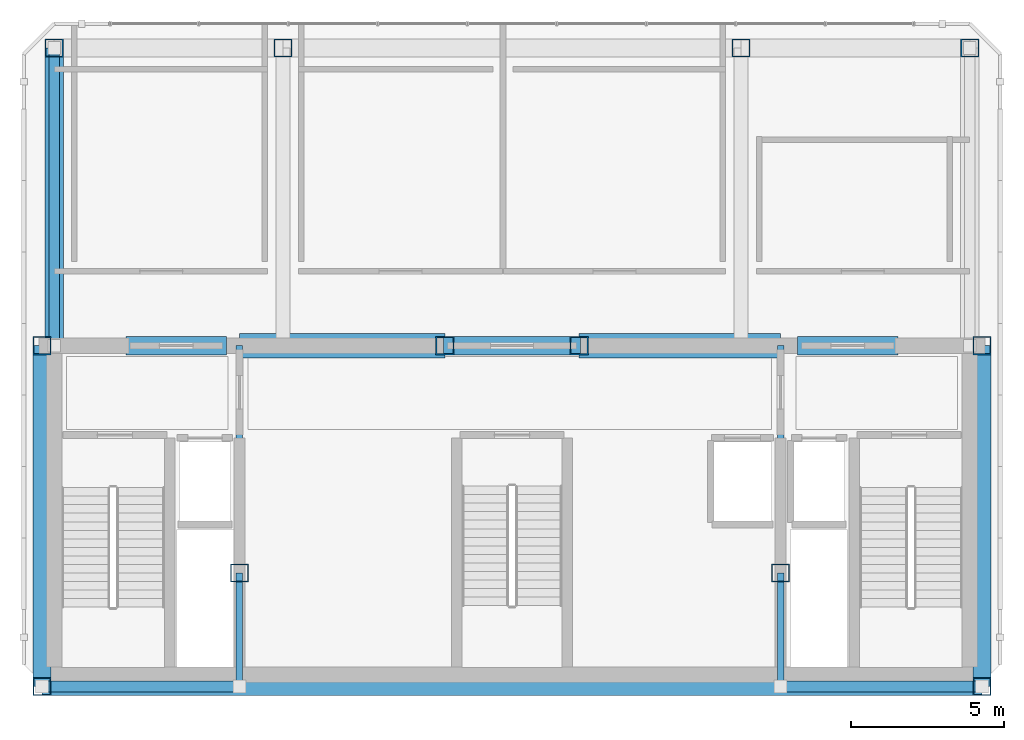
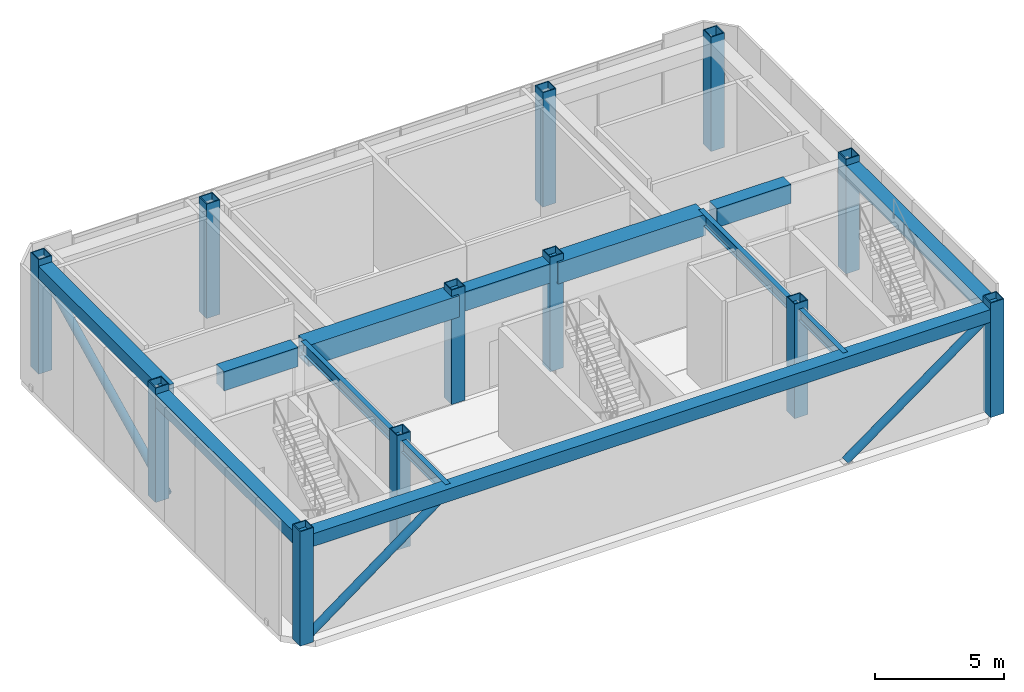
# One storey, part 1 of 9: 13 beams, 12 columns, 3 members.
"""IFC4 building model written with IfcOpenShell, lengths in metres."""

from ifc_helpers import new_model, si_unit, direction, frame, origin, origin_2d, place, context, subcontext, project, spatial, rectangle, hollow_rectangle, hollow_circle, i_section, extrude, material, material_profile, profile_set, type_object, element, save


model = new_model("IFC4")

# Units and contexts
model_context = context("Model", 3, precision=1e-05, world=origin(), true_north=direction((0.0, 1.0)))
body_context = subcontext(model_context, "Body", "Model", "MODEL_VIEW")
ifc_project = project(units=[si_unit("LENGTHUNIT", "METRE"), si_unit("AREAUNIT", "SQUARE_METRE"), si_unit("VOLUMEUNIT", "CUBIC_METRE"), si_unit("PLANEANGLEUNIT", "RADIAN"), si_unit("MASSUNIT", "GRAM", prefix="KILO")], contexts=[model_context])

# Site, building, storey
site_placement = place(None, origin())
site = spatial("IfcSite", under=ifc_project, at=site_placement, CompositionType="ELEMENT")
building_placement = place(site_placement, origin())
building = spatial("IfcBuilding", under=site, at=building_placement, Name="Ventersveld Concourse Tower", CompositionType="ELEMENT")
storey_placement = place(building_placement, frame((0.0, 0.0, 377.449951171875)))
storey = spatial("IfcBuildingStorey", under=building, at=storey_placement, Name="L92", CompositionType="ELEMENT", Elevation=377.449951171875)

# Columns
ifc_material_1 = material(Name="Structural steel S355ML", Category="steel")
ifc_material_profile_1 = material_profile(ifc_material_1, hollow_rectangle(XDim=0.60009765625, YDim=0.60009765625, WallThickness=0.0400390625, at=origin_2d()), Name="BOX 600x600x40")
ifc_profile_set_1 = profile_set([ifc_material_profile_1], Name="Structural steel S355ML")
column_type = type_object("IfcColumnType", Name="CF-POST-600", PredefinedType="USERDEFINED", material=ifc_profile_set_1)
for number, where, z_axis, x_axis, name in (
    (1, (13.35009765625, 0.280029296875, 0.0), (0.0, 0.0, 1.0), (1.0, 0.0, 0.0), "L92 Core Spine Column CC-SW"),
    (2, (44.14990234375, 0.280029296875, 0.0), (0.0, 0.0, 1.0), (1.0, 0.0, 0.0), "L92 Core Spine Column CC-SE"),
    (3, (13.35009765625, 11.449951171875, 0.0), (0.0, 0.0, 1.0), (1.0, 0.0, 0.0), "L92 Core Spine Column CC-NW"),
    (4, (44.14990234375, 11.449951171875, 0.0), (0.0, 0.0, 1.0), (1.0, 0.0, 0.0), "L92 Core Spine Column CC-NE"),
    (5, (19.820068359375, 4.0, 0.0), (0.0, 0.0, 1.0), (1.0, 0.0, 0.0), "L92 Core Spine Column CM-1"),
    (6, (37.550048828125, 4.0, 0.0), (0.0, 0.0, 1.0), (1.0, 0.0, 0.0), "L92 Core Spine Column CM-2"),
    (7, (26.550048828125, 11.449951171875, 0.0), (0.0, 0.0, 1.0), (1.0, 0.0, 0.0), "L92 Core Spine Column CM-3"),
    (8, (30.949951171875, 11.449951171875, 0.0), (0.0, 0.0, 1.0), (1.0, 0.0, 0.0), "L92 Core Spine Column CM-4"),
    (9, (13.75, 21.199951171875, 0.0), (0.0, 0.0, 1.0), (1.0, 0.0, 0.0), "L92 Crown Frame Structural Post CF-NW"),
    (10, (21.25, 21.199951171875, 0.0), (0.0, 0.0, 1.0), (1.0, 0.0, 0.0), "L92 Crown Frame Structural Post CF-NCW"),
    (11, (36.25, 21.199951171875, 0.0), (0.0, 0.0, 1.0), (1.0, 0.0, 0.0), "L92 Crown Frame Structural Post CF-NCE"),
    (12, (43.75, 21.199951171875, 0.0), (0.0, 0.0, 1.0), (1.0, 0.0, 0.0), "L92 Crown Frame Structural Post CF-NE"),
):
    element("IfcColumn", number, at=place(storey_placement, frame(where, z_axis=z_axis, x_axis=x_axis)), inside=storey, type_object=column_type, Name=name, ObjectType="CROWN_FRAME", PredefinedType="USERDEFINED", context=body_context, shape_type="SweptSolid", body=[
        extrude(hollow_rectangle(XDim=0.60009765625, YDim=0.60009765625, WallThickness=0.0400390625, at=origin_2d()), origin(), (0.0, 0.0, 1.0), 5.400146484375),
    ])

# Beams
ifc_material_2 = material(Name="Concrete C50/60", Category="concrete")
ifc_material_profile_2 = material_profile(ifc_material_2, rectangle(XDim=0.60009765625, YDim=0.89990234375, at=origin_2d()), Name="RC 600x900")
ifc_profile_set_2 = profile_set([ifc_material_profile_2], Name="Concrete C50/60")
beam_type_1 = type_object("IfcBeamType", Name="CB-RC600x900U", PredefinedType="LINTEL", material=ifc_profile_set_2)
beam_1_placement = place(storey_placement, frame((16.10009765625, 11.449951171875, 4.650146484375), z_axis=(1.0, 0.0, 0.0), x_axis=(0.0, 1.0, 0.0)))
element("IfcBeam", 13, at=beam_1_placement, inside=storey, type_object=beam_type_1, Name="L92 Core Coupling Lintel Beam 1", PredefinedType="LINTEL", context=body_context, shape_type="SweptSolid", body=[
    extrude(rectangle(XDim=0.60009765625, YDim=0.89990234375, at=origin_2d()), origin(), (0.0, 0.0, 1.0), 3.2998046875),
])
beam_2_placement = place(storey_placement, frame((26.5, 11.449951171875, 4.650146484375), z_axis=(1.0, 0.0, 0.0), x_axis=(0.0, 1.0, 0.0)))
element("IfcBeam", 14, at=beam_2_placement, inside=storey, type_object=beam_type_1, Name="L92 Core Coupling Lintel Beam 2", PredefinedType="LINTEL", context=body_context, shape_type="SweptSolid", body=[
    extrude(rectangle(XDim=0.60009765625, YDim=0.89990234375, at=origin_2d()), origin(), (0.0, 0.0, 1.0), 4.5),
])
beam_3_placement = place(storey_placement, frame((38.10009765625, 11.449951171875, 4.650146484375), z_axis=(1.0, 0.0, 0.0), x_axis=(0.0, 1.0, 0.0)))
element("IfcBeam", 15, at=beam_3_placement, inside=storey, type_object=beam_type_1, Name="L92 Core Coupling Lintel Beam 3", PredefinedType="LINTEL", context=body_context, shape_type="SweptSolid", body=[
    extrude(rectangle(XDim=0.60009765625, YDim=0.89990234375, at=origin_2d()), origin(), (0.0, 0.0, 1.0), 3.2998046875),
])

# Members
ifc_material_profile_3 = material_profile(ifc_material_1, hollow_circle(Radius=0.177734375, WallThickness=0.01611328125, at=origin_2d()), Name="CHS 355.6x16")
ifc_profile_set_3 = profile_set([ifc_material_profile_3], Name="Structural steel S355ML")
member_type = type_object("IfcMemberType", Name="CF-BR-355", PredefinedType="BRACE", material=ifc_profile_set_3)
member_1_placement = place(storey_placement, frame((13.35009765625, 0.280029296875, 0.0), z_axis=(0.803112997434, 0.0, 0.595826747766), x_axis=(0.0, 1.0, 0.0)))
element("IfcMember", 16, at=member_1_placement, inside=storey, type_object=member_type, Name="L92 CROWN FRAME Wind Brace 1", PredefinedType="BRACE", context=body_context, shape_type="SweptSolid", body=[
    extrude(hollow_circle(Radius=0.177734375, WallThickness=0.01611328125, at=origin_2d()), origin(), (0.0, 0.0, 1.0), 8.05615234375),
])
member_2_placement = place(storey_placement, frame((37.550048828125, 0.280029296875, 0.0), z_axis=(0.808727028466, 0.0, 0.58818414925), x_axis=(0.0, 1.0, 0.0)))
element("IfcMember", 17, at=member_2_placement, inside=storey, type_object=member_type, Name="L92 CROWN FRAME Wind Brace 2", PredefinedType="BRACE", context=body_context, shape_type="SweptSolid", body=[
    extrude(hollow_circle(Radius=0.177734375, WallThickness=0.01611328125, at=origin_2d()), origin(), (0.0, 0.0, 1.0), 8.160888671875),
])
member_3_placement = place(storey_placement, frame((13.75, 11.449951171875, 0.0), z_axis=(0.0, 0.897168895597, 0.441687641635), x_axis=(-1.0, 0.0, 0.0)))
element("IfcMember", 18, at=member_3_placement, inside=storey, type_object=member_type, Name="L92 CROWN FRAME Wind Brace 3", PredefinedType="BRACE", context=body_context, shape_type="SweptSolid", body=[
    extrude(hollow_circle(Radius=0.177734375, WallThickness=0.01611328125, at=origin_2d()), origin(), (0.0, 0.0, 1.0), 10.867431640625),
])

# Beams
ifc_material_3 = material(Name="Structural steel S355J2", Category="steel")
ifc_material_profile_4 = material_profile(ifc_material_3, i_section(OverallWidth=0.2119140625, OverallDepth=0.54443359375, WebThickness=0.0126953125, FlangeThickness=0.021240234375, FilletRadius=0.0126953125, at=origin_2d()), Name="UB 533x210x122")
ifc_profile_set_4 = profile_set([ifc_material_profile_4], Name="Structural steel S355J2")
beam_type_2 = type_object("IfcBeamType", Name="GRD-UB533H", PredefinedType="T_BEAM", material=ifc_profile_set_4)
beam_4_placement = place(storey_placement, frame((19.820068359375, 0.280029296875, 4.827880859375), z_axis=(0.0, 1.0, 0.0), x_axis=(-1.0, 0.0, 0.0)))
element("IfcBeam", 19, at=beam_4_placement, inside=storey, type_object=beam_type_2, Name="L92 Core Spine N-S Tie Beam W1", PredefinedType="T_BEAM", context=body_context, shape_type="SweptSolid", body=[
    extrude(i_section(OverallWidth=0.2119140625, OverallDepth=0.54443359375, WebThickness=0.0126953125, FlangeThickness=0.021240234375, FilletRadius=0.0126953125, at=origin_2d()), origin(), (0.0, 0.0, 1.0), 3.719970703125),
])
beam_5_placement = place(storey_placement, frame((19.820068359375, 4.0, 4.827880859375), z_axis=(0.0, 1.0, 0.0), x_axis=(-1.0, 0.0, 0.0)))
element("IfcBeam", 20, at=beam_5_placement, inside=storey, type_object=beam_type_2, Name="L92 Core Spine N-S Tie Beam W2", PredefinedType="T_BEAM", context=body_context, shape_type="SweptSolid", body=[
    extrude(i_section(OverallWidth=0.2119140625, OverallDepth=0.54443359375, WebThickness=0.0126953125, FlangeThickness=0.021240234375, FilletRadius=0.0126953125, at=origin_2d()), origin(), (0.0, 0.0, 1.0), 7.449951171875),
])
beam_6_placement = place(storey_placement, frame((37.550048828125, 0.280029296875, 4.827880859375), z_axis=(0.0, 1.0, 0.0), x_axis=(-1.0, 0.0, 0.0)))
element("IfcBeam", 21, at=beam_6_placement, inside=storey, type_object=beam_type_2, Name="L92 Core Spine N-S Tie Beam E1", PredefinedType="T_BEAM", context=body_context, shape_type="SweptSolid", body=[
    extrude(i_section(OverallWidth=0.2119140625, OverallDepth=0.54443359375, WebThickness=0.0126953125, FlangeThickness=0.021240234375, FilletRadius=0.0126953125, at=origin_2d()), origin(), (0.0, 0.0, 1.0), 3.719970703125),
])
beam_7_placement = place(storey_placement, frame((37.550048828125, 4.0, 4.827880859375), z_axis=(0.0, 1.0, 0.0), x_axis=(-1.0, 0.0, 0.0)))
element("IfcBeam", 22, at=beam_7_placement, inside=storey, type_object=beam_type_2, Name="L92 Core Spine N-S Tie Beam E2", PredefinedType="T_BEAM", context=body_context, shape_type="SweptSolid", body=[
    extrude(i_section(OverallWidth=0.2119140625, OverallDepth=0.54443359375, WebThickness=0.0126953125, FlangeThickness=0.021240234375, FilletRadius=0.0126953125, at=origin_2d()), origin(), (0.0, 0.0, 1.0), 7.449951171875),
])
ifc_material_profile_5 = material_profile(ifc_material_1, hollow_rectangle(XDim=0.60009765625, YDim=0.60009765625, WallThickness=0.0400390625, at=origin_2d()), Name="BOX 600x600x40")
ifc_profile_set_5 = profile_set([ifc_material_profile_5], Name="Structural steel S355ML")
beam_type_3 = type_object("IfcBeamType", Name="SPD-BOX600", PredefinedType="SPANDREL", material=ifc_profile_set_5)
beam_8_placement = place(storey_placement, frame((13.35009765625, 0.280029296875, 4.800048828125), z_axis=(1.0, 0.0, 0.0), x_axis=(0.0, 1.0, 0.0)))
element("IfcBeam", 23, at=beam_8_placement, inside=storey, type_object=beam_type_3, Name="L92 CROWN FRAME Perimeter Ring Beam 1", PredefinedType="SPANDREL", context=body_context, shape_type="SweptSolid", body=[
    extrude(hollow_rectangle(XDim=0.60009765625, YDim=0.60009765625, WallThickness=0.0400390625, at=origin_2d()), origin(), (0.0, 0.0, 1.0), 30.7998046875),
])
beam_9_placement = place(storey_placement, frame((44.14990234375, 0.280029296875, 4.800048828125), z_axis=(0.0, 1.0, 0.0), x_axis=(-1.0, 0.0, 0.0)))
element("IfcBeam", 24, at=beam_9_placement, inside=storey, type_object=beam_type_3, Name="L92 CROWN FRAME Perimeter Ring Beam 2", PredefinedType="SPANDREL", context=body_context, shape_type="SweptSolid", body=[
    extrude(hollow_rectangle(XDim=0.60009765625, YDim=0.60009765625, WallThickness=0.0400390625, at=origin_2d()), origin(), (0.0, 0.0, 1.0), 11.169921875),
])
beam_10_placement = place(storey_placement, frame((13.75, 21.199951171875, 4.800048828125), z_axis=(0.0, -1.0, 0.0), x_axis=(1.0, 0.0, 0.0)))
element("IfcBeam", 25, at=beam_10_placement, inside=storey, type_object=beam_type_3, Name="L92 CROWN FRAME Perimeter Ring Beam 7", PredefinedType="SPANDREL", context=body_context, shape_type="SweptSolid", body=[
    extrude(hollow_rectangle(XDim=0.60009765625, YDim=0.60009765625, WallThickness=0.0400390625, at=origin_2d()), origin(), (0.0, 0.0, 1.0), 9.75),
])
beam_11_placement = place(storey_placement, frame((13.35009765625, 11.449951171875, 4.800048828125), z_axis=(0.0, -1.0, 0.0), x_axis=(1.0, 0.0, 0.0)))
element("IfcBeam", 26, at=beam_11_placement, inside=storey, type_object=beam_type_3, Name="L92 CROWN FRAME Perimeter Ring Beam 8", PredefinedType="SPANDREL", context=body_context, shape_type="SweptSolid", body=[
    extrude(hollow_rectangle(XDim=0.60009765625, YDim=0.60009765625, WallThickness=0.0400390625, at=origin_2d()), origin(), (0.0, 0.0, 1.0), 11.169921875),
])
ifc_material_4 = material(Name="Structural steel S460ML", Category="steel")
ifc_material_profile_6 = material_profile(ifc_material_4, hollow_rectangle(XDim=0.800048828125, YDim=1.0, WallThickness=0.06494140625, at=origin_2d()), Name="BOX 1000x800x65")
ifc_profile_set_6 = profile_set([ifc_material_profile_6], Name="Structural steel S460ML")
beam_type_4 = type_object("IfcBeamType", Name="TG-BOX1000", PredefinedType="USERDEFINED", material=ifc_profile_set_6)
beam_12_placement = place(storey_placement, frame((19.820068359375, 11.449951171875, 4.60009765625), z_axis=(1.0, 0.0, 0.0), x_axis=(0.0, 1.0, 0.0)))
element("IfcBeam", 27, at=beam_12_placement, inside=storey, type_object=beam_type_4, Name="L92 Mast North Grillage Beam W", ObjectType="TRANSFER_GIRDER", PredefinedType="USERDEFINED", context=body_context, shape_type="SweptSolid", body=[
    extrude(hollow_rectangle(XDim=0.800048828125, YDim=1.0, WallThickness=0.06494140625, at=origin_2d()), origin(), (0.0, 0.0, 1.0), 6.72998046875),
])
beam_13_placement = place(storey_placement, frame((30.949951171875, 11.449951171875, 4.60009765625), z_axis=(1.0, 0.0, 0.0), x_axis=(0.0, 1.0, 0.0)))
element("IfcBeam", 28, at=beam_13_placement, inside=storey, type_object=beam_type_4, Name="L92 Mast North Grillage Beam E", ObjectType="TRANSFER_GIRDER", PredefinedType="USERDEFINED", context=body_context, shape_type="SweptSolid", body=[
    extrude(hollow_rectangle(XDim=0.800048828125, YDim=1.0, WallThickness=0.06494140625, at=origin_2d()), origin(), (0.0, 0.0, 1.0), 6.60009765625),
])

save(model, "model.ifc")
